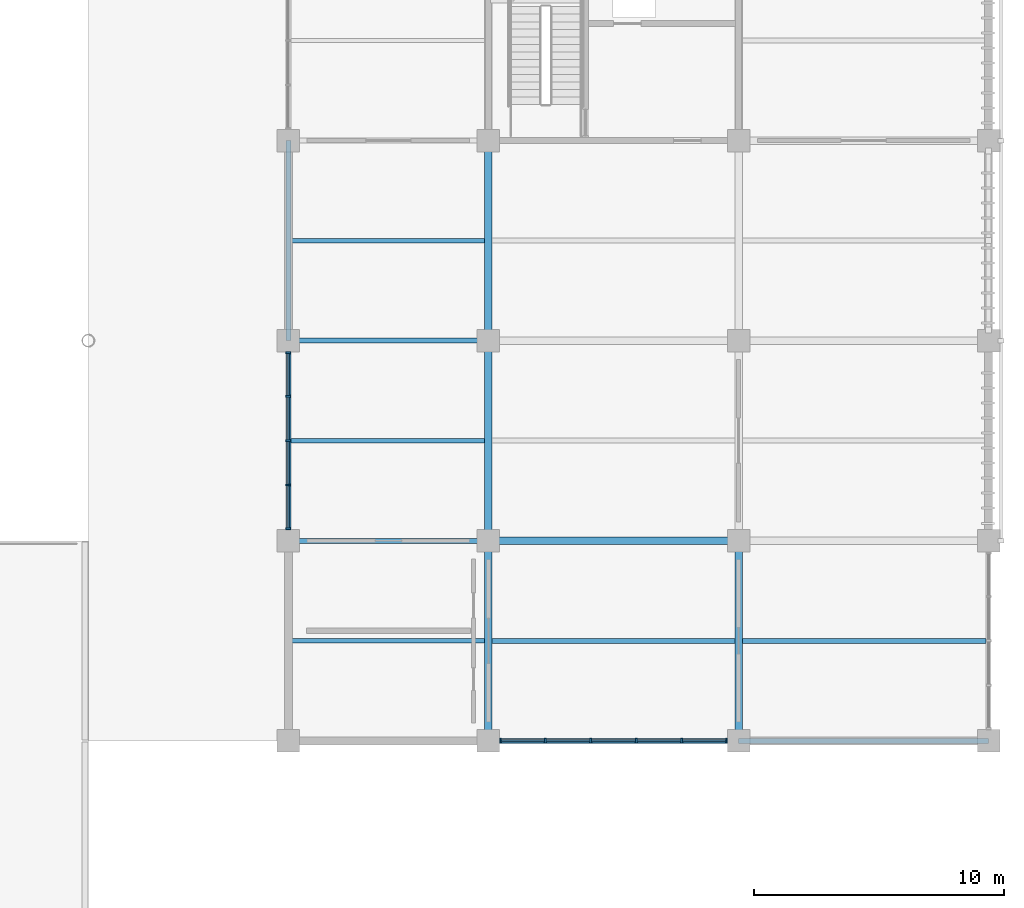
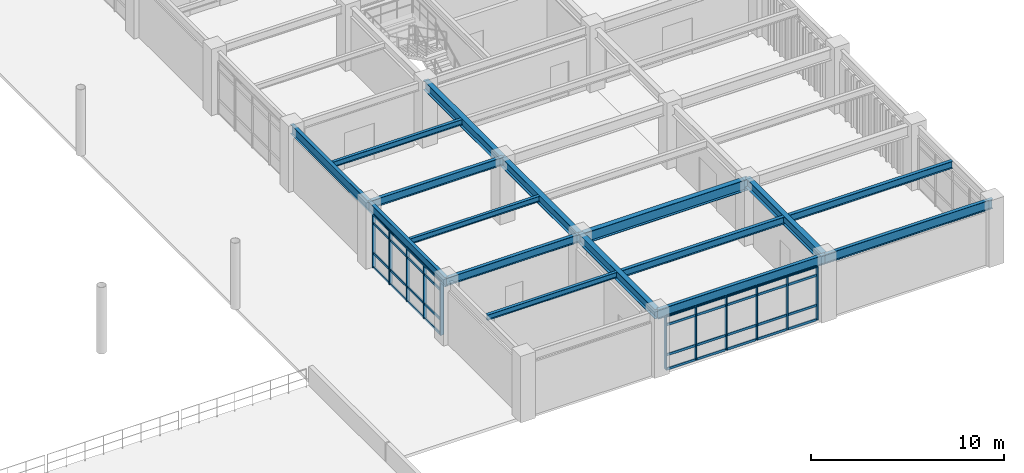
# One storey, part 39 of 118: 47 members, 16 beams, 2 elements without a shape of their own.
"""IFC4 building model written with IfcOpenShell, lengths in metres."""

from ifc_helpers import new_model, si_unit, direction, frame, origin, origin_2d, place, context, subcontext, project, spatial, rectangle, i_section, extrude, material, layer, layer_set, material_profile, profile_set, type_object, element, aggregate, save


model = new_model("IFC4")

# Units and contexts
model_context = context("Model", 3, precision=1e-05, world=origin(), true_north=direction((0.0, 1.0)))
body_context = subcontext(model_context, "Body", "Model", "MODEL_VIEW")
ifc_project = project(units=[si_unit("LENGTHUNIT", "METRE"), si_unit("AREAUNIT", "SQUARE_METRE"), si_unit("VOLUMEUNIT", "CUBIC_METRE"), si_unit("PLANEANGLEUNIT", "RADIAN"), si_unit("MASSUNIT", "GRAM", prefix="KILO")], contexts=[model_context])

# Site, building, storey
site_placement = place(None, origin())
site = spatial("IfcSite", under=ifc_project, at=site_placement, CompositionType="ELEMENT")
building_placement = place(site_placement, origin())
building = spatial("IfcBuilding", under=site, at=building_placement, Name="Haebicheon Civic Stadium", CompositionType="ELEMENT")
storey_placement = place(building_placement, frame((0.0, 0.0, 14.39990234375)))
storey = spatial("IfcBuildingStorey", under=building, at=storey_placement, Name="L04", CompositionType="ELEMENT", Elevation=14.39990234375)

# Beams
ifc_material_1 = material(Name="Steel SM355 (S355)", Category="steel")
ifc_material_profile_1 = material_profile(ifc_material_1, i_section(OverallWidth=0.199951171875, OverallDepth=0.5, WebThickness=0.010009765625, FlangeThickness=0.01611328125, at=origin_2d()), Name="H-500x200x10x16")
ifc_profile_set_1 = profile_set([ifc_material_profile_1], Name="Steel SM355 (S355)")
beam_type_1 = type_object("IfcBeamType", Name="BM-ST-H500", PredefinedType="BEAM", material=ifc_profile_set_1)
for number, where, z_axis, x_axis, name in (
    (1, (208.0, 48.0, 3.690185546875), (1.0, 0.0, 0.0), (0.0, 1.0, 0.0), "L04 beam G/27-28"),
    (2, (208.0, 56.0, 3.690185546875), (1.0, 0.0, 0.0), (0.0, 1.0, 0.0), "L04 beam H/27-28"),
):
    element("IfcBeam", number, at=place(storey_placement, frame(where, z_axis=z_axis, x_axis=x_axis)), inside=storey, type_object=beam_type_1, material=ifc_profile_set_1, Name=name, PredefinedType="BEAM", context=body_context, shape_type="SweptSolid", body=[
        extrude(i_section(OverallWidth=0.199951171875, OverallDepth=0.5, WebThickness=0.010009765625, FlangeThickness=0.01611328125, at=origin_2d()), origin(), (0.0, 0.0, 1.0), 8.0),
    ])
ifc_material_2 = material(Name="Steel SM355 (S355)", Category="steel")
ifc_material_profile_2 = material_profile(ifc_material_2, i_section(OverallWidth=0.300048828125, OverallDepth=0.60009765625, WebThickness=0.011962890625, FlangeThickness=0.02001953125, at=origin_2d()), Name="H-600x300x12x20")
ifc_profile_set_2 = profile_set([ifc_material_profile_2], Name="Steel SM355 (S355)")
beam_type_2 = type_object("IfcBeamType", Name="BM-ST-H600A", PredefinedType="BEAM", material=ifc_profile_set_2)
for number, where, z_axis, x_axis, name in (
    (3, (216.0, 40.0, 3.68017578125), (0.0, 1.0, 0.0), (-1.0, 0.0, 0.0), "L04 girder 28/F-G"),
    (4, (216.0, 48.0, 3.64013671875), (0.0, 1.0, 0.0), (-1.0, 0.0, 0.0), "L04 girder 28/G-H"),
    (5, (216.0, 56.0, 3.64013671875), (0.0, 1.0, 0.0), (-1.0, 0.0, 0.0), "L04 girder 28/H-J"),
    (6, (226.0, 40.0, 3.68017578125), (0.0, 1.0, 0.0), (-1.0, 0.0, 0.0), "L04 girder 29/F-G"),
):
    element("IfcBeam", number, at=place(storey_placement, frame(where, z_axis=z_axis, x_axis=x_axis)), inside=storey, type_object=beam_type_2, material=ifc_profile_set_2, Name=name, PredefinedType="BEAM", context=body_context, shape_type="SweptSolid", body=[
        extrude(i_section(OverallWidth=0.300048828125, OverallDepth=0.60009765625, WebThickness=0.011962890625, FlangeThickness=0.02001953125, at=origin_2d()), origin(), (0.0, 0.0, 1.0), 8.0),
    ])
ifc_material_3 = material(Name="Steel SM490", Category="steel")
ifc_material_profile_3 = material_profile(ifc_material_3, i_section(OverallWidth=0.300048828125, OverallDepth=0.699951171875, WebThickness=0.012939453125, FlangeThickness=0.02392578125, at=origin_2d()), Name="H-700x300x13x24")
ifc_profile_set_3 = profile_set([ifc_material_profile_3], Name="Steel SM490")
beam_type_3 = type_object("IfcBeamType", Name="BM-ST-H700", PredefinedType="BEAM", material=ifc_profile_set_3)
beam_1_placement = place(storey_placement, frame((216.0, 48.0, 3.590087890625), z_axis=(1.0, 0.0, 0.0), x_axis=(0.0, 1.0, 0.0)))
element("IfcBeam", 7, at=beam_1_placement, inside=storey, type_object=beam_type_3, material=ifc_profile_set_3, Name="L04 beam G/28-29", PredefinedType="BEAM", context=body_context, shape_type="SweptSolid", body=[
    extrude(i_section(OverallWidth=0.300048828125, OverallDepth=0.699951171875, WebThickness=0.012939453125, FlangeThickness=0.02392578125, at=origin_2d()), origin(), (0.0, 0.0, 1.0), 10.0),
])

# Curtain wall, members
ifc_material_4 = material(Name="Anodised aluminium and laminated glass", Category="aluminium")
ifc_layer_1 = layer(ifc_material_4, 0.179931640625, Name="Anodised aluminium and laminated glass")
ifc_layer_set_1 = layer_set([ifc_layer_1], Name="Anodised aluminium and laminated glass")
curtain_wall_type_1 = type_object("IfcCurtainWallType", Name="CW-7100x3330", PredefinedType="NOTDEFINED", material=ifc_layer_set_1)
curtain_wall_1_placement = place(storey_placement, origin())
curtain_wall_1 = element("IfcCurtainWall", 8, at=curtain_wall_1_placement, inside=storey, type_object=curtain_wall_type_1, material=ifc_layer_set_1, Name="L04 unitised curtain wall 169", PredefinedType="NOTDEFINED")
ifc_material_5 = material(Name="Anodised aluminium 6063-T6", Category="aluminium")
ifc_material_profile_4 = material_profile(ifc_material_5, rectangle(XDim=0.070068359375, YDim=0.199951171875, at=origin_2d()), Name="ALU-MULL-70x200")
ifc_profile_set_4 = profile_set([ifc_material_profile_4], Name="Anodised aluminium 6063-T6")
member_type_1 = type_object("IfcMemberType", Name="CWM-200x70", PredefinedType="MULLION", material=ifc_profile_set_4)
member_1_placement = place(storey_placement, frame((208.0, 48.485107421875, 0.0), z_axis=(0.0, 0.0, 1.0), x_axis=(0.0, 1.0, 0.0)))
member_1 = element("IfcMember", 9, at=member_1_placement, type_object=member_type_1, material=ifc_profile_set_4, Name="CW-L04-169 vertical mullion 1", PredefinedType="MULLION", context=body_context, shape_type="SweptSolid", body=[
    extrude(rectangle(XDim=0.070068359375, YDim=0.199951171875, at=origin_2d()), origin(), (0.0, 0.0, 1.0), 3.330078125),
])
member_2_placement = place(storey_placement, frame((208.0, 50.22509765625, 0.0), z_axis=(0.0, 0.0, 1.0), x_axis=(0.0, 1.0, 0.0)))
member_2 = element("IfcMember", 10, at=member_2_placement, type_object=member_type_1, material=ifc_profile_set_4, Name="CW-L04-169 vertical mullion 2", PredefinedType="MULLION", context=body_context, shape_type="SweptSolid", body=[
    extrude(rectangle(XDim=0.070068359375, YDim=0.199951171875, at=origin_2d()), origin(), (0.0, 0.0, 1.0), 3.330078125),
])
member_3_placement = place(storey_placement, frame((208.0, 52.0, 0.0), z_axis=(0.0, 0.0, 1.0), x_axis=(0.0, 1.0, 0.0)))
member_3 = element("IfcMember", 11, at=member_3_placement, type_object=member_type_1, material=ifc_profile_set_4, Name="CW-L04-169 vertical mullion 3", PredefinedType="MULLION", context=body_context, shape_type="SweptSolid", body=[
    extrude(rectangle(XDim=0.070068359375, YDim=0.199951171875, at=origin_2d()), origin(), (0.0, 0.0, 1.0), 3.330078125),
])
member_4_placement = place(storey_placement, frame((208.0, 53.77490234375, 0.0), z_axis=(0.0, 0.0, 1.0), x_axis=(0.0, 1.0, 0.0)))
member_4 = element("IfcMember", 12, at=member_4_placement, type_object=member_type_1, material=ifc_profile_set_4, Name="CW-L04-169 vertical mullion 4", PredefinedType="MULLION", context=body_context, shape_type="SweptSolid", body=[
    extrude(rectangle(XDim=0.070068359375, YDim=0.199951171875, at=origin_2d()), origin(), (0.0, 0.0, 1.0), 3.330078125),
])
member_5_placement = place(storey_placement, frame((208.0, 55.514892578125, 0.0), z_axis=(0.0, 0.0, 1.0), x_axis=(0.0, 1.0, 0.0)))
member_5 = element("IfcMember", 13, at=member_5_placement, type_object=member_type_1, material=ifc_profile_set_4, Name="CW-L04-169 vertical mullion 5", PredefinedType="MULLION", context=body_context, shape_type="SweptSolid", body=[
    extrude(rectangle(XDim=0.070068359375, YDim=0.199951171875, at=origin_2d()), origin(), (0.0, 0.0, 1.0), 3.330078125),
])

ifc_material_6 = material(Name="Anodised aluminium and laminated glass", Category="aluminium")
ifc_layer_2 = layer(ifc_material_6, 0.179931640625, Name="Anodised aluminium and laminated glass")
ifc_layer_set_2 = layer_set([ifc_layer_2], Name="Anodised aluminium and laminated glass")
curtain_wall_type_2 = type_object("IfcCurtainWallType", Name="CW-9100x3350", PredefinedType="NOTDEFINED", material=ifc_layer_set_2)
curtain_wall_2_placement = place(storey_placement, origin())
curtain_wall_2 = element("IfcCurtainWall", 14, at=curtain_wall_2_placement, inside=storey, type_object=curtain_wall_type_2, material=ifc_layer_set_2, Name="L04 unitised curtain wall 175", PredefinedType="NOTDEFINED")
member_6_placement = place(storey_placement, frame((216.485107421875, 40.0, 0.0), z_axis=(0.0, 0.0, 1.0), x_axis=(1.0, 0.0, 0.0)))
member_6 = element("IfcMember", 15, at=member_6_placement, type_object=member_type_1, material=ifc_profile_set_4, Name="CW-L04-175 vertical mullion 1", PredefinedType="MULLION", context=body_context, shape_type="SweptSolid", body=[
    extrude(rectangle(XDim=0.070068359375, YDim=0.199951171875, at=origin_2d()), origin(), (0.0, 0.0, 1.0), 3.35009765625),
])
member_7_placement = place(storey_placement, frame((218.27001953125, 40.0, 0.0), z_axis=(0.0, 0.0, 1.0), x_axis=(1.0, 0.0, 0.0)))
member_7 = element("IfcMember", 16, at=member_7_placement, type_object=member_type_1, material=ifc_profile_set_4, Name="CW-L04-175 vertical mullion 2", PredefinedType="MULLION", context=body_context, shape_type="SweptSolid", body=[
    extrude(rectangle(XDim=0.070068359375, YDim=0.199951171875, at=origin_2d()), origin(), (0.0, 0.0, 1.0), 3.35009765625),
])
member_8_placement = place(storey_placement, frame((220.090087890625, 40.0, 0.0), z_axis=(0.0, 0.0, 1.0), x_axis=(1.0, 0.0, 0.0)))
member_8 = element("IfcMember", 17, at=member_8_placement, type_object=member_type_1, material=ifc_profile_set_4, Name="CW-L04-175 vertical mullion 3", PredefinedType="MULLION", context=body_context, shape_type="SweptSolid", body=[
    extrude(rectangle(XDim=0.070068359375, YDim=0.199951171875, at=origin_2d()), origin(), (0.0, 0.0, 1.0), 3.35009765625),
])
member_9_placement = place(storey_placement, frame((221.909912109375, 40.0, 0.0), z_axis=(0.0, 0.0, 1.0), x_axis=(1.0, 0.0, 0.0)))
member_9 = element("IfcMember", 18, at=member_9_placement, type_object=member_type_1, material=ifc_profile_set_4, Name="CW-L04-175 vertical mullion 4", PredefinedType="MULLION", context=body_context, shape_type="SweptSolid", body=[
    extrude(rectangle(XDim=0.070068359375, YDim=0.199951171875, at=origin_2d()), origin(), (0.0, 0.0, 1.0), 3.35009765625),
])
member_10_placement = place(storey_placement, frame((223.72998046875, 40.0, 0.0), z_axis=(0.0, 0.0, 1.0), x_axis=(1.0, 0.0, 0.0)))
member_10 = element("IfcMember", 19, at=member_10_placement, type_object=member_type_1, material=ifc_profile_set_4, Name="CW-L04-175 vertical mullion 5", PredefinedType="MULLION", context=body_context, shape_type="SweptSolid", body=[
    extrude(rectangle(XDim=0.070068359375, YDim=0.199951171875, at=origin_2d()), origin(), (0.0, 0.0, 1.0), 3.35009765625),
])
member_11_placement = place(storey_placement, frame((225.514892578125, 40.0, 0.0), z_axis=(0.0, 0.0, 1.0), x_axis=(1.0, 0.0, 0.0)))
member_11 = element("IfcMember", 20, at=member_11_placement, type_object=member_type_1, material=ifc_profile_set_4, Name="CW-L04-175 vertical mullion 6", PredefinedType="MULLION", context=body_context, shape_type="SweptSolid", body=[
    extrude(rectangle(XDim=0.070068359375, YDim=0.199951171875, at=origin_2d()), origin(), (0.0, 0.0, 1.0), 3.35009765625),
])

# Member
ifc_material_7 = material(Name="Anodised aluminium 6063-T6", Category="aluminium")
ifc_material_profile_5 = material_profile(ifc_material_7, rectangle(XDim=0.070068359375, YDim=0.14990234375, at=origin_2d()), Name="ALU-TRAN-70x150")
ifc_profile_set_5 = profile_set([ifc_material_profile_5], Name="Anodised aluminium 6063-T6")
member_type_2 = type_object("IfcMemberType", Name="CWT-150x70", PredefinedType="NOTDEFINED", material=ifc_profile_set_5)
member_12_placement = place(storey_placement, frame((208.0, 48.52001953125, 0.0), z_axis=(0.0, 1.0, 0.0), x_axis=(-1.0, 0.0, 0.0)))
member_12 = element("IfcMember", 21, at=member_12_placement, type_object=member_type_2, material=ifc_profile_set_5, Name="CW-L04-169 horizontal transom 1.1", ObjectType="TRANSOM", PredefinedType="USERDEFINED", context=body_context, shape_type="SweptSolid", body=[
    extrude(rectangle(XDim=0.070068359375, YDim=0.14990234375, at=origin_2d()), origin(), (0.0, 0.0, 1.0), 1.669921875),
])

member_13_placement = place(storey_placement, frame((208.0, 48.52001953125, 0.900146484375), z_axis=(0.0, 1.0, 0.0), x_axis=(-1.0, 0.0, 0.0)))
member_13 = element("IfcMember", 22, at=member_13_placement, type_object=member_type_2, material=ifc_profile_set_5, Name="CW-L04-169 horizontal transom 1.2", ObjectType="TRANSOM", PredefinedType="USERDEFINED", context=body_context, shape_type="SweptSolid", body=[
    extrude(rectangle(XDim=0.070068359375, YDim=0.14990234375, at=origin_2d()), origin(), (0.0, 0.0, 1.0), 1.669921875),
])

member_14_placement = place(storey_placement, frame((208.0, 48.52001953125, 2.780029296875), z_axis=(0.0, 1.0, 0.0), x_axis=(-1.0, 0.0, 0.0)))
member_14 = element("IfcMember", 23, at=member_14_placement, type_object=member_type_2, material=ifc_profile_set_5, Name="CW-L04-169 horizontal transom 1.3", ObjectType="TRANSOM", PredefinedType="USERDEFINED", context=body_context, shape_type="SweptSolid", body=[
    extrude(rectangle(XDim=0.070068359375, YDim=0.14990234375, at=origin_2d()), origin(), (0.0, 0.0, 1.0), 1.669921875),
])

member_15_placement = place(storey_placement, frame((208.0, 48.52001953125, 3.330078125), z_axis=(0.0, 1.0, 0.0), x_axis=(-1.0, 0.0, 0.0)))
member_15 = element("IfcMember", 24, at=member_15_placement, type_object=member_type_2, material=ifc_profile_set_5, Name="CW-L04-169 horizontal transom 1.4", ObjectType="TRANSOM", PredefinedType="USERDEFINED", context=body_context, shape_type="SweptSolid", body=[
    extrude(rectangle(XDim=0.070068359375, YDim=0.14990234375, at=origin_2d()), origin(), (0.0, 0.0, 1.0), 1.669921875),
])

member_16_placement = place(storey_placement, frame((208.0, 50.260009765625, 0.0), z_axis=(0.0, 1.0, 0.0), x_axis=(-1.0, 0.0, 0.0)))
member_16 = element("IfcMember", 25, at=member_16_placement, type_object=member_type_2, material=ifc_profile_set_5, Name="CW-L04-169 horizontal transom 2.1", ObjectType="TRANSOM", PredefinedType="USERDEFINED", context=body_context, shape_type="SweptSolid", body=[
    extrude(rectangle(XDim=0.070068359375, YDim=0.14990234375, at=origin_2d()), origin(), (0.0, 0.0, 1.0), 1.705078125),
])

member_17_placement = place(storey_placement, frame((208.0, 50.260009765625, 0.900146484375), z_axis=(0.0, 1.0, 0.0), x_axis=(-1.0, 0.0, 0.0)))
member_17 = element("IfcMember", 26, at=member_17_placement, type_object=member_type_2, material=ifc_profile_set_5, Name="CW-L04-169 horizontal transom 2.2", ObjectType="TRANSOM", PredefinedType="USERDEFINED", context=body_context, shape_type="SweptSolid", body=[
    extrude(rectangle(XDim=0.070068359375, YDim=0.14990234375, at=origin_2d()), origin(), (0.0, 0.0, 1.0), 1.705078125),
])

member_18_placement = place(storey_placement, frame((208.0, 50.260009765625, 2.780029296875), z_axis=(0.0, 1.0, 0.0), x_axis=(-1.0, 0.0, 0.0)))
member_18 = element("IfcMember", 27, at=member_18_placement, type_object=member_type_2, material=ifc_profile_set_5, Name="CW-L04-169 horizontal transom 2.3", ObjectType="TRANSOM", PredefinedType="USERDEFINED", context=body_context, shape_type="SweptSolid", body=[
    extrude(rectangle(XDim=0.070068359375, YDim=0.14990234375, at=origin_2d()), origin(), (0.0, 0.0, 1.0), 1.705078125),
])

member_19_placement = place(storey_placement, frame((208.0, 50.260009765625, 3.330078125), z_axis=(0.0, 1.0, 0.0), x_axis=(-1.0, 0.0, 0.0)))
member_19 = element("IfcMember", 28, at=member_19_placement, type_object=member_type_2, material=ifc_profile_set_5, Name="CW-L04-169 horizontal transom 2.4", ObjectType="TRANSOM", PredefinedType="USERDEFINED", context=body_context, shape_type="SweptSolid", body=[
    extrude(rectangle(XDim=0.070068359375, YDim=0.14990234375, at=origin_2d()), origin(), (0.0, 0.0, 1.0), 1.705078125),
])

member_20_placement = place(storey_placement, frame((208.0, 52.034912109375, 0.0), z_axis=(0.0, 1.0, 0.0), x_axis=(-1.0, 0.0, 0.0)))
member_20 = element("IfcMember", 29, at=member_20_placement, type_object=member_type_2, material=ifc_profile_set_5, Name="CW-L04-169 horizontal transom 3.1", ObjectType="TRANSOM", PredefinedType="USERDEFINED", context=body_context, shape_type="SweptSolid", body=[
    extrude(rectangle(XDim=0.070068359375, YDim=0.14990234375, at=origin_2d()), origin(), (0.0, 0.0, 1.0), 1.705078125),
])

member_21_placement = place(storey_placement, frame((208.0, 52.034912109375, 0.900146484375), z_axis=(0.0, 1.0, 0.0), x_axis=(-1.0, 0.0, 0.0)))
member_21 = element("IfcMember", 30, at=member_21_placement, type_object=member_type_2, material=ifc_profile_set_5, Name="CW-L04-169 horizontal transom 3.2", ObjectType="TRANSOM", PredefinedType="USERDEFINED", context=body_context, shape_type="SweptSolid", body=[
    extrude(rectangle(XDim=0.070068359375, YDim=0.14990234375, at=origin_2d()), origin(), (0.0, 0.0, 1.0), 1.705078125),
])

member_22_placement = place(storey_placement, frame((208.0, 52.034912109375, 2.780029296875), z_axis=(0.0, 1.0, 0.0), x_axis=(-1.0, 0.0, 0.0)))
member_22 = element("IfcMember", 31, at=member_22_placement, type_object=member_type_2, material=ifc_profile_set_5, Name="CW-L04-169 horizontal transom 3.3", ObjectType="TRANSOM", PredefinedType="USERDEFINED", context=body_context, shape_type="SweptSolid", body=[
    extrude(rectangle(XDim=0.070068359375, YDim=0.14990234375, at=origin_2d()), origin(), (0.0, 0.0, 1.0), 1.705078125),
])

member_23_placement = place(storey_placement, frame((208.0, 52.034912109375, 3.330078125), z_axis=(0.0, 1.0, 0.0), x_axis=(-1.0, 0.0, 0.0)))
member_23 = element("IfcMember", 32, at=member_23_placement, type_object=member_type_2, material=ifc_profile_set_5, Name="CW-L04-169 horizontal transom 3.4", ObjectType="TRANSOM", PredefinedType="USERDEFINED", context=body_context, shape_type="SweptSolid", body=[
    extrude(rectangle(XDim=0.070068359375, YDim=0.14990234375, at=origin_2d()), origin(), (0.0, 0.0, 1.0), 1.705078125),
])

member_24_placement = place(storey_placement, frame((208.0, 53.81005859375, 0.0), z_axis=(0.0, 1.0, 0.0), x_axis=(-1.0, 0.0, 0.0)))
member_24 = element("IfcMember", 33, at=member_24_placement, type_object=member_type_2, material=ifc_profile_set_5, Name="CW-L04-169 horizontal transom 4.1", ObjectType="TRANSOM", PredefinedType="USERDEFINED", context=body_context, shape_type="SweptSolid", body=[
    extrude(rectangle(XDim=0.070068359375, YDim=0.14990234375, at=origin_2d()), origin(), (0.0, 0.0, 1.0), 1.669921875),
])

member_25_placement = place(storey_placement, frame((208.0, 53.81005859375, 0.900146484375), z_axis=(0.0, 1.0, 0.0), x_axis=(-1.0, 0.0, 0.0)))
member_25 = element("IfcMember", 34, at=member_25_placement, type_object=member_type_2, material=ifc_profile_set_5, Name="CW-L04-169 horizontal transom 4.2", ObjectType="TRANSOM", PredefinedType="USERDEFINED", context=body_context, shape_type="SweptSolid", body=[
    extrude(rectangle(XDim=0.070068359375, YDim=0.14990234375, at=origin_2d()), origin(), (0.0, 0.0, 1.0), 1.669921875),
])

member_26_placement = place(storey_placement, frame((208.0, 53.81005859375, 2.780029296875), z_axis=(0.0, 1.0, 0.0), x_axis=(-1.0, 0.0, 0.0)))
member_26 = element("IfcMember", 35, at=member_26_placement, type_object=member_type_2, material=ifc_profile_set_5, Name="CW-L04-169 horizontal transom 4.3", ObjectType="TRANSOM", PredefinedType="USERDEFINED", context=body_context, shape_type="SweptSolid", body=[
    extrude(rectangle(XDim=0.070068359375, YDim=0.14990234375, at=origin_2d()), origin(), (0.0, 0.0, 1.0), 1.669921875),
])

member_27_placement = place(storey_placement, frame((208.0, 53.81005859375, 3.330078125), z_axis=(0.0, 1.0, 0.0), x_axis=(-1.0, 0.0, 0.0)))
member_27 = element("IfcMember", 36, at=member_27_placement, type_object=member_type_2, material=ifc_profile_set_5, Name="CW-L04-169 horizontal transom 4.4", ObjectType="TRANSOM", PredefinedType="USERDEFINED", context=body_context, shape_type="SweptSolid", body=[
    extrude(rectangle(XDim=0.070068359375, YDim=0.14990234375, at=origin_2d()), origin(), (0.0, 0.0, 1.0), 1.669921875),
])

aggregate(curtain_wall_1, [member_1, member_2, member_3, member_4, member_5, member_12, member_13, member_14, member_15, member_16, member_17, member_18, member_19, member_20, member_21, member_22, member_23, member_24, member_25, member_26, member_27])

member_28_placement = place(storey_placement, frame((216.52001953125, 40.0, 0.0), z_axis=(1.0, 0.0, 0.0), x_axis=(0.0, 1.0, 0.0)))
member_28 = element("IfcMember", 37, at=member_28_placement, type_object=member_type_2, material=ifc_profile_set_5, Name="CW-L04-175 horizontal transom 1.1", ObjectType="TRANSOM", PredefinedType="USERDEFINED", context=body_context, shape_type="SweptSolid", body=[
    extrude(rectangle(XDim=0.070068359375, YDim=0.14990234375, at=origin_2d()), origin(), (0.0, 0.0, 1.0), 1.715087890625),
])

member_29_placement = place(storey_placement, frame((216.52001953125, 40.0, 0.900146484375), z_axis=(1.0, 0.0, 0.0), x_axis=(0.0, 1.0, 0.0)))
member_29 = element("IfcMember", 38, at=member_29_placement, type_object=member_type_2, material=ifc_profile_set_5, Name="CW-L04-175 horizontal transom 1.2", ObjectType="TRANSOM", PredefinedType="USERDEFINED", context=body_context, shape_type="SweptSolid", body=[
    extrude(rectangle(XDim=0.070068359375, YDim=0.14990234375, at=origin_2d()), origin(), (0.0, 0.0, 1.0), 1.715087890625),
])

member_30_placement = place(storey_placement, frame((216.52001953125, 40.0, 2.800048828125), z_axis=(1.0, 0.0, 0.0), x_axis=(0.0, 1.0, 0.0)))
member_30 = element("IfcMember", 39, at=member_30_placement, type_object=member_type_2, material=ifc_profile_set_5, Name="CW-L04-175 horizontal transom 1.3", ObjectType="TRANSOM", PredefinedType="USERDEFINED", context=body_context, shape_type="SweptSolid", body=[
    extrude(rectangle(XDim=0.070068359375, YDim=0.14990234375, at=origin_2d()), origin(), (0.0, 0.0, 1.0), 1.715087890625),
])

member_31_placement = place(storey_placement, frame((216.52001953125, 40.0, 3.35009765625), z_axis=(1.0, 0.0, 0.0), x_axis=(0.0, 1.0, 0.0)))
member_31 = element("IfcMember", 40, at=member_31_placement, type_object=member_type_2, material=ifc_profile_set_5, Name="CW-L04-175 horizontal transom 1.4", ObjectType="TRANSOM", PredefinedType="USERDEFINED", context=body_context, shape_type="SweptSolid", body=[
    extrude(rectangle(XDim=0.070068359375, YDim=0.14990234375, at=origin_2d()), origin(), (0.0, 0.0, 1.0), 1.715087890625),
])

member_32_placement = place(storey_placement, frame((218.304931640625, 40.0, 0.0), z_axis=(1.0, 0.0, 0.0), x_axis=(0.0, 1.0, 0.0)))
member_32 = element("IfcMember", 41, at=member_32_placement, type_object=member_type_2, material=ifc_profile_set_5, Name="CW-L04-175 horizontal transom 2.1", ObjectType="TRANSOM", PredefinedType="USERDEFINED", context=body_context, shape_type="SweptSolid", body=[
    extrude(rectangle(XDim=0.070068359375, YDim=0.14990234375, at=origin_2d()), origin(), (0.0, 0.0, 1.0), 1.75),
])

member_33_placement = place(storey_placement, frame((218.304931640625, 40.0, 0.900146484375), z_axis=(1.0, 0.0, 0.0), x_axis=(0.0, 1.0, 0.0)))
member_33 = element("IfcMember", 42, at=member_33_placement, type_object=member_type_2, material=ifc_profile_set_5, Name="CW-L04-175 horizontal transom 2.2", ObjectType="TRANSOM", PredefinedType="USERDEFINED", context=body_context, shape_type="SweptSolid", body=[
    extrude(rectangle(XDim=0.070068359375, YDim=0.14990234375, at=origin_2d()), origin(), (0.0, 0.0, 1.0), 1.75),
])

member_34_placement = place(storey_placement, frame((218.304931640625, 40.0, 2.800048828125), z_axis=(1.0, 0.0, 0.0), x_axis=(0.0, 1.0, 0.0)))
member_34 = element("IfcMember", 43, at=member_34_placement, type_object=member_type_2, material=ifc_profile_set_5, Name="CW-L04-175 horizontal transom 2.3", ObjectType="TRANSOM", PredefinedType="USERDEFINED", context=body_context, shape_type="SweptSolid", body=[
    extrude(rectangle(XDim=0.070068359375, YDim=0.14990234375, at=origin_2d()), origin(), (0.0, 0.0, 1.0), 1.75),
])

member_35_placement = place(storey_placement, frame((218.304931640625, 40.0, 3.35009765625), z_axis=(1.0, 0.0, 0.0), x_axis=(0.0, 1.0, 0.0)))
member_35 = element("IfcMember", 44, at=member_35_placement, type_object=member_type_2, material=ifc_profile_set_5, Name="CW-L04-175 horizontal transom 2.4", ObjectType="TRANSOM", PredefinedType="USERDEFINED", context=body_context, shape_type="SweptSolid", body=[
    extrude(rectangle(XDim=0.070068359375, YDim=0.14990234375, at=origin_2d()), origin(), (0.0, 0.0, 1.0), 1.75),
])

member_36_placement = place(storey_placement, frame((220.125, 40.0, 0.0), z_axis=(1.0, 0.0, 0.0), x_axis=(0.0, 1.0, 0.0)))
member_36 = element("IfcMember", 45, at=member_36_placement, type_object=member_type_2, material=ifc_profile_set_5, Name="CW-L04-175 horizontal transom 3.1", ObjectType="TRANSOM", PredefinedType="USERDEFINED", context=body_context, shape_type="SweptSolid", body=[
    extrude(rectangle(XDim=0.070068359375, YDim=0.14990234375, at=origin_2d()), origin(), (0.0, 0.0, 1.0), 1.75),
])

member_37_placement = place(storey_placement, frame((220.125, 40.0, 0.900146484375), z_axis=(1.0, 0.0, 0.0), x_axis=(0.0, 1.0, 0.0)))
member_37 = element("IfcMember", 46, at=member_37_placement, type_object=member_type_2, material=ifc_profile_set_5, Name="CW-L04-175 horizontal transom 3.2", ObjectType="TRANSOM", PredefinedType="USERDEFINED", context=body_context, shape_type="SweptSolid", body=[
    extrude(rectangle(XDim=0.070068359375, YDim=0.14990234375, at=origin_2d()), origin(), (0.0, 0.0, 1.0), 1.75),
])

member_38_placement = place(storey_placement, frame((220.125, 40.0, 2.800048828125), z_axis=(1.0, 0.0, 0.0), x_axis=(0.0, 1.0, 0.0)))
member_38 = element("IfcMember", 47, at=member_38_placement, type_object=member_type_2, material=ifc_profile_set_5, Name="CW-L04-175 horizontal transom 3.3", ObjectType="TRANSOM", PredefinedType="USERDEFINED", context=body_context, shape_type="SweptSolid", body=[
    extrude(rectangle(XDim=0.070068359375, YDim=0.14990234375, at=origin_2d()), origin(), (0.0, 0.0, 1.0), 1.75),
])

member_39_placement = place(storey_placement, frame((220.125, 40.0, 3.35009765625), z_axis=(1.0, 0.0, 0.0), x_axis=(0.0, 1.0, 0.0)))
member_39 = element("IfcMember", 48, at=member_39_placement, type_object=member_type_2, material=ifc_profile_set_5, Name="CW-L04-175 horizontal transom 3.4", ObjectType="TRANSOM", PredefinedType="USERDEFINED", context=body_context, shape_type="SweptSolid", body=[
    extrude(rectangle(XDim=0.070068359375, YDim=0.14990234375, at=origin_2d()), origin(), (0.0, 0.0, 1.0), 1.75),
])

member_40_placement = place(storey_placement, frame((221.945068359375, 40.0, 0.0), z_axis=(1.0, 0.0, 0.0), x_axis=(0.0, 1.0, 0.0)))
member_40 = element("IfcMember", 49, at=member_40_placement, type_object=member_type_2, material=ifc_profile_set_5, Name="CW-L04-175 horizontal transom 4.1", ObjectType="TRANSOM", PredefinedType="USERDEFINED", context=body_context, shape_type="SweptSolid", body=[
    extrude(rectangle(XDim=0.070068359375, YDim=0.14990234375, at=origin_2d()), origin(), (0.0, 0.0, 1.0), 1.75),
])

member_41_placement = place(storey_placement, frame((221.945068359375, 40.0, 0.900146484375), z_axis=(1.0, 0.0, 0.0), x_axis=(0.0, 1.0, 0.0)))
member_41 = element("IfcMember", 50, at=member_41_placement, type_object=member_type_2, material=ifc_profile_set_5, Name="CW-L04-175 horizontal transom 4.2", ObjectType="TRANSOM", PredefinedType="USERDEFINED", context=body_context, shape_type="SweptSolid", body=[
    extrude(rectangle(XDim=0.070068359375, YDim=0.14990234375, at=origin_2d()), origin(), (0.0, 0.0, 1.0), 1.75),
])

member_42_placement = place(storey_placement, frame((221.945068359375, 40.0, 2.800048828125), z_axis=(1.0, 0.0, 0.0), x_axis=(0.0, 1.0, 0.0)))
member_42 = element("IfcMember", 51, at=member_42_placement, type_object=member_type_2, material=ifc_profile_set_5, Name="CW-L04-175 horizontal transom 4.3", ObjectType="TRANSOM", PredefinedType="USERDEFINED", context=body_context, shape_type="SweptSolid", body=[
    extrude(rectangle(XDim=0.070068359375, YDim=0.14990234375, at=origin_2d()), origin(), (0.0, 0.0, 1.0), 1.75),
])

member_43_placement = place(storey_placement, frame((221.945068359375, 40.0, 3.35009765625), z_axis=(1.0, 0.0, 0.0), x_axis=(0.0, 1.0, 0.0)))
member_43 = element("IfcMember", 52, at=member_43_placement, type_object=member_type_2, material=ifc_profile_set_5, Name="CW-L04-175 horizontal transom 4.4", ObjectType="TRANSOM", PredefinedType="USERDEFINED", context=body_context, shape_type="SweptSolid", body=[
    extrude(rectangle(XDim=0.070068359375, YDim=0.14990234375, at=origin_2d()), origin(), (0.0, 0.0, 1.0), 1.75),
])

member_44_placement = place(storey_placement, frame((223.764892578125, 40.0, 0.0), z_axis=(1.0, 0.0, 0.0), x_axis=(0.0, 1.0, 0.0)))
member_44 = element("IfcMember", 53, at=member_44_placement, type_object=member_type_2, material=ifc_profile_set_5, Name="CW-L04-175 horizontal transom 5.1", ObjectType="TRANSOM", PredefinedType="USERDEFINED", context=body_context, shape_type="SweptSolid", body=[
    extrude(rectangle(XDim=0.070068359375, YDim=0.14990234375, at=origin_2d()), origin(), (0.0, 0.0, 1.0), 1.715087890625),
])

member_45_placement = place(storey_placement, frame((223.764892578125, 40.0, 0.900146484375), z_axis=(1.0, 0.0, 0.0), x_axis=(0.0, 1.0, 0.0)))
member_45 = element("IfcMember", 54, at=member_45_placement, type_object=member_type_2, material=ifc_profile_set_5, Name="CW-L04-175 horizontal transom 5.2", ObjectType="TRANSOM", PredefinedType="USERDEFINED", context=body_context, shape_type="SweptSolid", body=[
    extrude(rectangle(XDim=0.070068359375, YDim=0.14990234375, at=origin_2d()), origin(), (0.0, 0.0, 1.0), 1.715087890625),
])

member_46_placement = place(storey_placement, frame((223.764892578125, 40.0, 2.800048828125), z_axis=(1.0, 0.0, 0.0), x_axis=(0.0, 1.0, 0.0)))
member_46 = element("IfcMember", 55, at=member_46_placement, type_object=member_type_2, material=ifc_profile_set_5, Name="CW-L04-175 horizontal transom 5.3", ObjectType="TRANSOM", PredefinedType="USERDEFINED", context=body_context, shape_type="SweptSolid", body=[
    extrude(rectangle(XDim=0.070068359375, YDim=0.14990234375, at=origin_2d()), origin(), (0.0, 0.0, 1.0), 1.715087890625),
])

member_47_placement = place(storey_placement, frame((223.764892578125, 40.0, 3.35009765625), z_axis=(1.0, 0.0, 0.0), x_axis=(0.0, 1.0, 0.0)))
member_47 = element("IfcMember", 56, at=member_47_placement, type_object=member_type_2, material=ifc_profile_set_5, Name="CW-L04-175 horizontal transom 5.4", ObjectType="TRANSOM", PredefinedType="USERDEFINED", context=body_context, shape_type="SweptSolid", body=[
    extrude(rectangle(XDim=0.070068359375, YDim=0.14990234375, at=origin_2d()), origin(), (0.0, 0.0, 1.0), 1.715087890625),
])

aggregate(curtain_wall_2, [member_6, member_7, member_8, member_9, member_10, member_11, member_28, member_29, member_30, member_31, member_32, member_33, member_34, member_35, member_36, member_37, member_38, member_39, member_40, member_41, member_42, member_43, member_44, member_45, member_46, member_47])

# Beams
ifc_material_8 = material(Name="Steel SM355 (S355)", Category="steel")
ifc_material_profile_6 = material_profile(ifc_material_8, i_section(OverallWidth=0.175048828125, OverallDepth=0.35009765625, WebThickness=0.007080078125, FlangeThickness=0.010986328125, at=origin_2d()), Name="H-350x175x7x11")
ifc_profile_set_6 = profile_set([ifc_material_profile_6], Name="Steel SM355 (S355)")
beam_type_4 = type_object("IfcBeamType", Name="JST-ST-H350", PredefinedType="JOIST", material=ifc_profile_set_6)
for number, where, z_axis, x_axis, name in (
    (57, (208.10009765625, 44.0, 3.80517578125), (1.0, 0.0, 0.0), (0.0, 1.0, 0.0), "L04 secondary joist 26-05"),
    (58, (208.10009765625, 52.0, 3.76513671875), (1.0, 0.0, 0.0), (0.0, 1.0, 0.0), "L04 secondary joist 26-06"),
    (59, (208.10009765625, 60.0, 3.76513671875), (1.0, 0.0, 0.0), (0.0, 1.0, 0.0), "L04 secondary joist 26-07"),
):
    element("IfcBeam", number, at=place(storey_placement, frame(where, z_axis=z_axis, x_axis=x_axis)), inside=storey, type_object=beam_type_4, material=ifc_profile_set_6, Name=name, PredefinedType="JOIST", context=body_context, shape_type="SweptSolid", body=[
        extrude(i_section(OverallWidth=0.175048828125, OverallDepth=0.35009765625, WebThickness=0.007080078125, FlangeThickness=0.010986328125, at=origin_2d()), origin(), (0.0, 0.0, 1.0), 7.75),
    ])
ifc_material_9 = material(Name="Steel SM355 (S355)", Category="steel")
ifc_material_profile_7 = material_profile(ifc_material_9, i_section(OverallWidth=0.199951171875, OverallDepth=0.449951171875, WebThickness=0.009033203125, FlangeThickness=0.013916015625, at=origin_2d()), Name="H-450x200x9x14")
ifc_profile_set_7 = profile_set([ifc_material_profile_7], Name="Steel SM355 (S355)")
beam_type_5 = type_object("IfcBeamType", Name="JST-ST-H450", PredefinedType="JOIST", material=ifc_profile_set_7)
beam_2_placement = place(storey_placement, frame((216.14990234375, 44.0, 3.755126953125), z_axis=(1.0, 0.0, 0.0), x_axis=(0.0, 1.0, 0.0)))
element("IfcBeam", 60, at=beam_2_placement, inside=storey, type_object=beam_type_5, material=ifc_profile_set_7, Name="L04 secondary joist 27-05", PredefinedType="JOIST", context=body_context, shape_type="SweptSolid", body=[
    extrude(i_section(OverallWidth=0.199951171875, OverallDepth=0.449951171875, WebThickness=0.009033203125, FlangeThickness=0.013916015625, at=origin_2d()), origin(), (0.0, 0.0, 1.0), 9.7001953125),
])
beam_3_placement = place(storey_placement, frame((226.14990234375, 44.0, 3.755126953125), z_axis=(1.0, 0.0, 0.0), x_axis=(0.0, 1.0, 0.0)))
element("IfcBeam", 61, at=beam_3_placement, inside=storey, type_object=beam_type_5, material=ifc_profile_set_7, Name="L04 secondary joist 28-05", PredefinedType="JOIST", context=body_context, shape_type="SweptSolid", body=[
    extrude(i_section(OverallWidth=0.199951171875, OverallDepth=0.449951171875, WebThickness=0.009033203125, FlangeThickness=0.013916015625, at=origin_2d()), origin(), (0.0, 0.0, 1.0), 9.75),
])
ifc_material_10 = material(Name="Steel SM355 (S355)", Category="steel")
ifc_material_profile_8 = material_profile(ifc_material_10, i_section(OverallWidth=0.199951171875, OverallDepth=0.60009765625, WebThickness=0.010986328125, FlangeThickness=0.01708984375, at=origin_2d()), Name="H-600x200x11x17")
ifc_profile_set_8 = profile_set([ifc_material_profile_8], Name="Steel SM355 (S355)")
beam_type_6 = type_object("IfcBeamType", Name="SPD-ST-H600B", PredefinedType="SPANDREL", material=ifc_profile_set_8)
for number, where, z_axis, x_axis, name in (
    (62, (208.0, 48.0, 3.64013671875), (0.0, 1.0, 0.0), (-1.0, 0.0, 0.0), "L04 girder 27/G-H"),
    (63, (208.0, 56.0, 3.64013671875), (0.0, 1.0, 0.0), (-1.0, 0.0, 0.0), "L04 girder 27/H-J"),
):
    element("IfcBeam", number, at=place(storey_placement, frame(where, z_axis=z_axis, x_axis=x_axis)), inside=storey, type_object=beam_type_6, material=ifc_profile_set_8, Name=name, PredefinedType="SPANDREL", context=body_context, shape_type="SweptSolid", body=[
        extrude(i_section(OverallWidth=0.199951171875, OverallDepth=0.60009765625, WebThickness=0.010986328125, FlangeThickness=0.01708984375, at=origin_2d()), origin(), (0.0, 0.0, 1.0), 8.0),
    ])
for number, where, z_axis, x_axis, name in (
    (64, (216.0, 40.0, 3.68017578125), (1.0, 0.0, 0.0), (0.0, 1.0, 0.0), "L04 beam F/28-29"),
    (65, (226.0, 40.0, 3.68017578125), (1.0, 0.0, 0.0), (0.0, 1.0, 0.0), "L04 beam F/29-30"),
):
    element("IfcBeam", number, at=place(storey_placement, frame(where, z_axis=z_axis, x_axis=x_axis)), inside=storey, type_object=beam_type_6, material=ifc_profile_set_8, Name=name, PredefinedType="SPANDREL", context=body_context, shape_type="SweptSolid", body=[
        extrude(i_section(OverallWidth=0.199951171875, OverallDepth=0.60009765625, WebThickness=0.010986328125, FlangeThickness=0.01708984375, at=origin_2d()), origin(), (0.0, 0.0, 1.0), 10.0),
    ])

save(model, "model.ifc")
